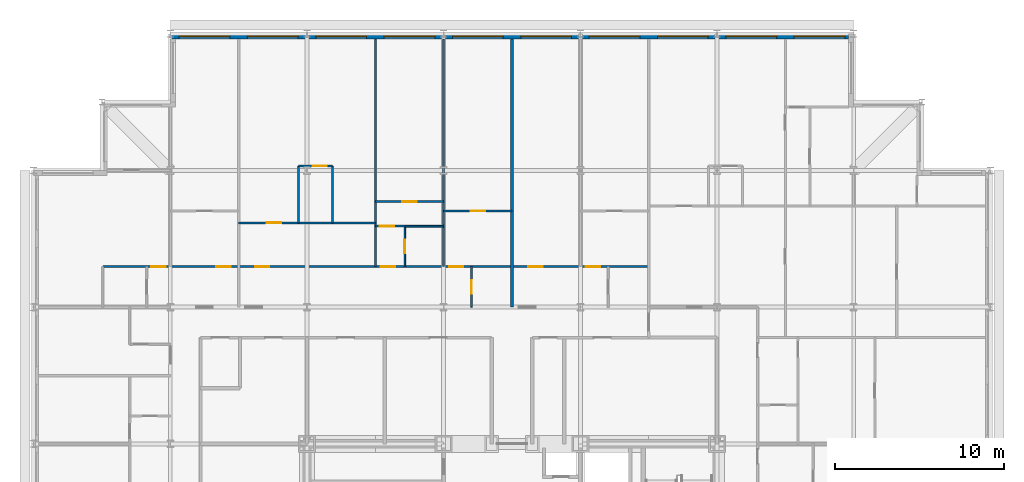
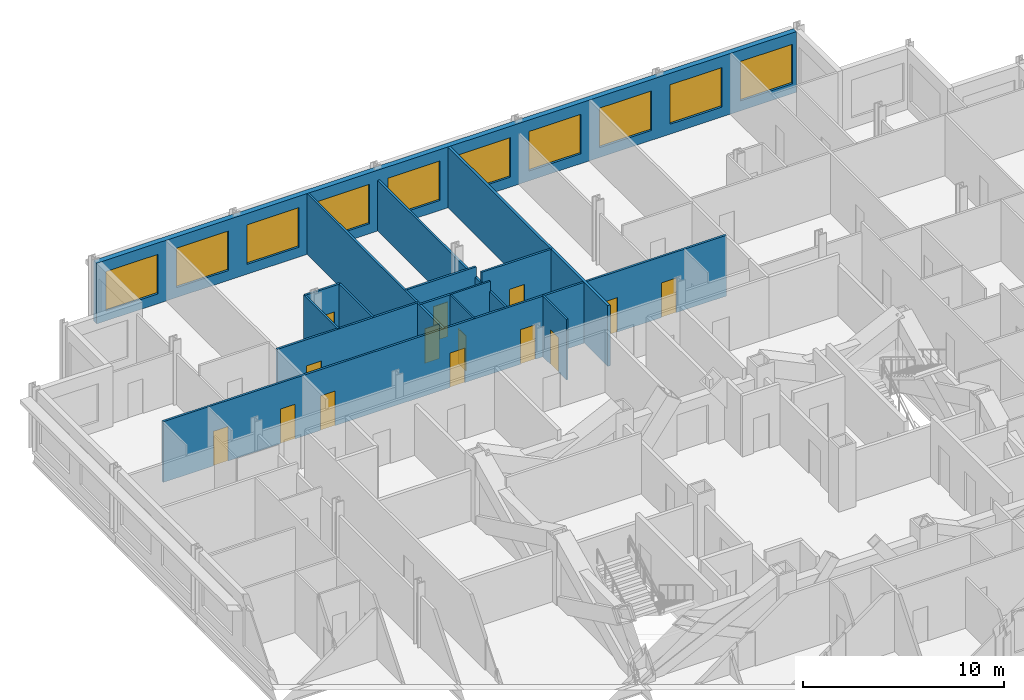
# One storey, part 13 of 16: 15 walls, 14 doors, 10 windows, 24 openings.
"""IFC4 building model written with IfcOpenShell, lengths in metres."""

from ifc_helpers import new_model, si_unit, direction, frame, frame_2d, origin, place, context, subcontext, project, spatial, rectangle, extrude, material, layer, layer_set, type_object, element, fill, save


model = new_model("IFC4")

# Units and contexts
model_context = context("Model", 3, precision=1e-05, world=origin(), true_north=direction((0.0, 1.0)))
body_context = subcontext(model_context, "Body", "Model", "MODEL_VIEW")
ifc_project = project(units=[si_unit("LENGTHUNIT", "METRE"), si_unit("AREAUNIT", "SQUARE_METRE"), si_unit("VOLUMEUNIT", "CUBIC_METRE"), si_unit("PLANEANGLEUNIT", "RADIAN"), si_unit("MASSUNIT", "GRAM", prefix="KILO")], contexts=[model_context])

# Site, building, storey
site_placement = place(None, origin())
site = spatial("IfcSite", under=ifc_project, at=site_placement, CompositionType="ELEMENT")
building_placement = place(site_placement, origin())
building = spatial("IfcBuilding", under=site, at=building_placement, Name="Kopane Lantern Tower", CompositionType="ELEMENT")
storey_placement = place(building_placement, frame((0.0, 0.0, 258.0)))
storey = spatial("IfcBuildingStorey", under=building, at=storey_placement, Name="L66", CompositionType="ELEMENT", Elevation=258.0)

# Walls
ifc_material_1 = material(Name="Gypsum board on steel studs", Category="steel")
ifc_layer_1 = layer(ifc_material_1, 0.1201171875)
ifc_layer_set_1 = layer_set([ifc_layer_1], Name="APARTMENT INTERNAL WALL 120")
wall_type_1 = type_object("IfcWallType", Name="APARTMENT INTERNAL WALL 120", PredefinedType="PARTITIONING", material=ifc_layer_set_1)
wall_1_placement = place(storey_placement, frame((20.25, 51.0, 0.0), z_axis=(0.0, 0.0, 1.0), x_axis=(0.0, 1.0, 0.0)))
element("IfcWall", 1, at=wall_1_placement, inside=storey, type_object=wall_type_1, Name="Apartment Internal Wall 120 L66", PredefinedType="PARTITIONING", context=body_context, shape_type="SweptSolid", body=[
    extrude(rectangle(XDim=13.5, YDim=0.1201171875, at=frame_2d((6.75, 0.0))), origin(), (0.0, 0.0, 1.0), 3.68994140625),
])
wall_2_placement = place(storey_placement, frame((24.300048828125, 51.0, 0.0), z_axis=(0.0, 0.0, 1.0), x_axis=(0.0, 1.0, 0.0)))
element("IfcWall", 2, at=wall_2_placement, inside=storey, type_object=wall_type_1, Name="Apartment Internal Wall 120 L66", PredefinedType="PARTITIONING", context=body_context, shape_type="SweptSolid", body=[
    extrude(rectangle(XDim=13.5, YDim=0.1201171875, at=frame_2d((6.75, 0.0))), origin(), (0.0, 0.0, 1.0), 3.077880859375),
])

# Wall, openings, doors
wall_3_placement = place(storey_placement, frame((4.10009765625, 51.0, 0.0), z_axis=(0.0, 0.0, 1.0), x_axis=(1.0, 0.0, 0.0)))
wall_3 = element("IfcWall", 3, at=wall_3_placement, inside=storey, type_object=wall_type_1, Name="Apartment Internal Wall 120 L66", PredefinedType="PARTITIONING", context=body_context, shape_type="SweptSolid", body=[
    extrude(rectangle(XDim=32.349853515625, YDim=0.1201171875, at=frame_2d((16.1748046875, 0.0))), origin(), (0.0, 0.0, 1.0), 3.68994140625),
])
opening_1_placement = place(wall_3_placement, frame((9.02490234375, 0.0, 0.0)))
opening_1 = element("IfcOpeningElement", 4, at=opening_1_placement, cuts=wall_3, Name="Opening L66-023", PredefinedType="OPENING", context=body_context, shape_type="SweptSolid", body=[
    extrude(rectangle(XDim=0.85009765625, YDim=2.10009765625, at=frame_2d((0.425048828125, 1.050048828125))), frame((0.0, 0.070068359375, 0.0), z_axis=(0.0, -1.0, 0.0), x_axis=(1.0, 0.0, 0.0)), (0.0, 0.0, 1.0), 0.14013671875),
])
opening_2_placement = place(wall_3_placement, frame((16.47509765625, 0.0, 0.0)))
opening_2 = element("IfcOpeningElement", 5, at=opening_2_placement, cuts=wall_3, Name="Opening L66-025", PredefinedType="OPENING", context=body_context, shape_type="SweptSolid", body=[
    extrude(rectangle(XDim=0.85009765625, YDim=2.10009765625, at=frame_2d((0.425048828125, 1.050048828125))), frame((0.0, 0.070068359375, 0.0), z_axis=(0.0, -1.0, 0.0), x_axis=(1.0, 0.0, 0.0)), (0.0, 0.0, 1.0), 0.14013671875),
])
opening_3_placement = place(wall_3_placement, frame((20.52490234375, 0.0, 0.0)))
opening_3 = element("IfcOpeningElement", 6, at=opening_3_placement, cuts=wall_3, Name="Opening L66-026", PredefinedType="OPENING", context=body_context, shape_type="SweptSolid", body=[
    extrude(rectangle(XDim=0.85009765625, YDim=2.10009765625, at=frame_2d((0.425048828125, 1.050048828125))), frame((0.0, 0.070068359375, 0.0), z_axis=(0.0, -1.0, 0.0), x_axis=(1.0, 0.0, 0.0)), (0.0, 0.0, 1.0), 0.14013671875),
])
opening_4_placement = place(wall_3_placement, frame((25.22509765625, 0.0, 0.0)))
opening_4 = element("IfcOpeningElement", 7, at=opening_4_placement, cuts=wall_3, Name="Opening L66-029", PredefinedType="OPENING", context=body_context, shape_type="SweptSolid", body=[
    extrude(rectangle(XDim=0.85009765625, YDim=2.10009765625, at=frame_2d((0.425048828125, 1.050048828125))), frame((0.0, 0.070068359375, 0.0), z_axis=(0.0, -1.0, 0.0), x_axis=(1.0, 0.0, 0.0)), (0.0, 0.0, 1.0), 0.14013671875),
])
opening_5_placement = place(wall_3_placement, frame((28.625, 0.0, 0.0)))
opening_5 = element("IfcOpeningElement", 8, at=opening_5_placement, cuts=wall_3, Name="Opening L66-030", PredefinedType="OPENING", context=body_context, shape_type="SweptSolid", body=[
    extrude(rectangle(XDim=0.85009765625, YDim=2.10009765625, at=frame_2d((0.425048828125, 1.050048828125))), frame((0.0, 0.070068359375, 0.0), z_axis=(0.0, -1.0, 0.0), x_axis=(1.0, 0.0, 0.0)), (0.0, 0.0, 1.0), 0.14013671875),
])
opening_6_placement = place(wall_3_placement, frame((6.72509765625, 0.0, 0.0)))
opening_6 = element("IfcOpeningElement", 9, at=opening_6_placement, cuts=wall_3, Name="Opening L66-044", PredefinedType="OPENING", context=body_context, shape_type="SweptSolid", body=[
    extrude(rectangle(XDim=0.85009765625, YDim=2.10009765625, at=frame_2d((0.425048828125, 1.050048828125))), frame((0.0, 0.070068359375, 0.0), z_axis=(0.0, -1.0, 0.0), x_axis=(1.0, 0.0, 0.0)), (0.0, 0.0, 1.0), 0.14013671875),
])
opening_7_placement = place(wall_3_placement, frame((2.875, 0.0, 0.0)))
opening_7 = element("IfcOpeningElement", 10, at=opening_7_placement, cuts=wall_3, Name="Opening L66-046", PredefinedType="OPENING", context=body_context, shape_type="SweptSolid", body=[
    extrude(rectangle(XDim=0.85009765625, YDim=2.10009765625, at=frame_2d((0.425048828125, 1.050048828125))), frame((0.0, 0.070068359375, 0.0), z_axis=(0.0, -1.0, 0.0), x_axis=(1.0, 0.0, 0.0)), (0.0, 0.0, 1.0), 0.14013671875),
])
ifc_material_2 = material(Name="Timber door set", Category="wood")
door_type_1 = type_object("IfcDoorType", Name="DOOR D4 850x2100", OperationType="SINGLE_SWING_LEFT", PredefinedType="DOOR", material=ifc_material_2)
door_1_placement = place(opening_1_placement, origin())
door_1 = element("IfcDoor", 11, at=door_1_placement, inside=storey, type_object=door_type_1, Name="Door L66-023", OperationType="SINGLE_SWING_LEFT", OverallHeight=2.10009765625, OverallWidth=0.85009765625, PredefinedType="DOOR", context=body_context, shape_type="SweptSolid", body=[
    extrude(rectangle(XDim=0.85009765625, YDim=2.10009765625, at=frame_2d((0.425048828125, 1.050048828125))), frame((0.0, 0.02490234375, 0.0), z_axis=(0.0, -1.0, 0.0), x_axis=(1.0, 0.0, 0.0)), (0.0, 0.0, 1.0), 0.050048828125),
])
fill(opening_1, door_1)
door_2_placement = place(opening_2_placement, origin())
door_2 = element("IfcDoor", 12, at=door_2_placement, inside=storey, type_object=door_type_1, Name="Door L66-025", OperationType="SINGLE_SWING_LEFT", OverallHeight=2.10009765625, OverallWidth=0.85009765625, PredefinedType="DOOR", context=body_context, shape_type="SweptSolid", body=[
    extrude(rectangle(XDim=0.85009765625, YDim=2.10009765625, at=frame_2d((0.425048828125, 1.050048828125))), frame((0.0, 0.02490234375, 0.0), z_axis=(0.0, -1.0, 0.0), x_axis=(1.0, 0.0, 0.0)), (0.0, 0.0, 1.0), 0.050048828125),
])
fill(opening_2, door_2)
door_3_placement = place(opening_3_placement, origin())
door_3 = element("IfcDoor", 13, at=door_3_placement, inside=storey, type_object=door_type_1, Name="Door L66-026", OperationType="SINGLE_SWING_LEFT", OverallHeight=2.10009765625, OverallWidth=0.85009765625, PredefinedType="DOOR", context=body_context, shape_type="SweptSolid", body=[
    extrude(rectangle(XDim=0.85009765625, YDim=2.10009765625, at=frame_2d((0.425048828125, 1.050048828125))), frame((0.0, 0.02490234375, 0.0), z_axis=(0.0, -1.0, 0.0), x_axis=(1.0, 0.0, 0.0)), (0.0, 0.0, 1.0), 0.050048828125),
])
fill(opening_3, door_3)
door_4_placement = place(opening_4_placement, origin())
door_4 = element("IfcDoor", 14, at=door_4_placement, inside=storey, type_object=door_type_1, Name="Door L66-029", OperationType="SINGLE_SWING_RIGHT", OverallHeight=2.10009765625, OverallWidth=0.85009765625, PredefinedType="DOOR", context=body_context, shape_type="SweptSolid", body=[
    extrude(rectangle(XDim=0.85009765625, YDim=2.10009765625, at=frame_2d((0.425048828125, 1.050048828125))), frame((0.0, 0.02490234375, 0.0), z_axis=(0.0, -1.0, 0.0), x_axis=(1.0, 0.0, 0.0)), (0.0, 0.0, 1.0), 0.050048828125),
])
fill(opening_4, door_4)
door_5_placement = place(opening_5_placement, origin())
door_5 = element("IfcDoor", 15, at=door_5_placement, inside=storey, type_object=door_type_1, Name="Door L66-030", OperationType="SINGLE_SWING_LEFT", OverallHeight=2.10009765625, OverallWidth=0.85009765625, PredefinedType="DOOR", context=body_context, shape_type="SweptSolid", body=[
    extrude(rectangle(XDim=0.85009765625, YDim=2.10009765625, at=frame_2d((0.425048828125, 1.050048828125))), frame((0.0, 0.02490234375, 0.0), z_axis=(0.0, -1.0, 0.0), x_axis=(1.0, 0.0, 0.0)), (0.0, 0.0, 1.0), 0.050048828125),
])
fill(opening_5, door_5)
door_6_placement = place(opening_6_placement, origin())
door_6 = element("IfcDoor", 16, at=door_6_placement, inside=storey, type_object=door_type_1, Name="Door L66-044", OperationType="SINGLE_SWING_LEFT", OverallHeight=2.10009765625, OverallWidth=0.85009765625, PredefinedType="DOOR", context=body_context, shape_type="SweptSolid", body=[
    extrude(rectangle(XDim=0.85009765625, YDim=2.10009765625, at=frame_2d((0.425048828125, 1.050048828125))), frame((0.0, 0.02490234375, 0.0), z_axis=(0.0, -1.0, 0.0), x_axis=(1.0, 0.0, 0.0)), (0.0, 0.0, 1.0), 0.050048828125),
])
fill(opening_6, door_6)
door_7_placement = place(opening_7_placement, origin())
door_7 = element("IfcDoor", 17, at=door_7_placement, inside=storey, type_object=door_type_1, Name="Door L66-046", OperationType="SINGLE_SWING_RIGHT", OverallHeight=2.10009765625, OverallWidth=0.85009765625, PredefinedType="DOOR", context=body_context, shape_type="SweptSolid", body=[
    extrude(rectangle(XDim=0.85009765625, YDim=2.10009765625, at=frame_2d((0.425048828125, 1.050048828125))), frame((0.0, 0.02490234375, 0.0), z_axis=(0.0, -1.0, 0.0), x_axis=(1.0, 0.0, 0.0)), (0.0, 0.0, 1.0), 0.050048828125),
])
fill(opening_7, door_7)

# Wall, opening, door
wall_4_placement = place(storey_placement, frame((20.25, 53.39990234375, 0.0), z_axis=(0.0, 0.0, 1.0), x_axis=(1.0, 0.0, 0.0)))
wall_4 = element("IfcWall", 18, at=wall_4_placement, inside=storey, type_object=wall_type_1, Name="Apartment Internal Wall 120 L66", PredefinedType="PARTITIONING", context=body_context, shape_type="SweptSolid", body=[
    extrude(rectangle(XDim=1.760009765625, YDim=0.1201171875, at=frame_2d((0.8798828125, 0.0))), origin(), (0.0, 0.0, 1.0), 3.68994140625),
])
opening_8_placement = place(wall_4_placement, frame((0.27490234375, 0.0, 0.0)))
opening_8 = element("IfcOpeningElement", 19, at=opening_8_placement, cuts=wall_4, Name="Opening L66-065", PredefinedType="OPENING", context=body_context, shape_type="SweptSolid", body=[
    extrude(rectangle(XDim=0.85009765625, YDim=2.10009765625, at=frame_2d((0.425048828125, 1.050048828125))), frame((0.0, 0.070068359375, 0.0), z_axis=(0.0, -1.0, 0.0), x_axis=(1.0, 0.0, 0.0)), (0.0, 0.0, 1.0), 0.14013671875),
])
door_8_placement = place(opening_8_placement, origin())
door_8 = element("IfcDoor", 20, at=door_8_placement, inside=storey, type_object=door_type_1, Name="Door L66-065", OperationType="SINGLE_SWING_LEFT", OverallHeight=2.10009765625, OverallWidth=0.85009765625, PredefinedType="DOOR", context=body_context, shape_type="SweptSolid", body=[
    extrude(rectangle(XDim=0.85009765625, YDim=2.10009765625, at=frame_2d((0.425048828125, 1.050048828125))), frame((0.0, 0.02490234375, 0.0), z_axis=(0.0, -1.0, 0.0), x_axis=(1.0, 0.0, 0.0)), (0.0, 0.0, 1.0), 0.050048828125),
])
fill(opening_8, door_8)

wall_5_placement = place(storey_placement, frame((12.14990234375, 53.60009765625, 0.0), z_axis=(0.0, 0.0, 1.0), x_axis=(1.0, 0.0, 0.0)))
wall_5 = element("IfcWall", 21, at=wall_5_placement, inside=storey, type_object=wall_type_1, Name="Apartment Internal Wall 120 L66", PredefinedType="PARTITIONING", context=body_context, shape_type="SweptSolid", body=[
    extrude(rectangle(XDim=8.10009765625, YDim=0.1201171875, at=frame_2d((4.050048828125, 0.0))), origin(), (0.0, 0.0, 1.0), 3.68994140625),
])
opening_9_placement = place(wall_5_placement, frame((1.675048828125, 0.0, 0.0)))
opening_9 = element("IfcOpeningElement", 22, at=opening_9_placement, cuts=wall_5, Name="Opening L66-071", PredefinedType="OPENING", context=body_context, shape_type="SweptSolid", body=[
    extrude(rectangle(XDim=0.85009765625, YDim=2.10009765625, at=frame_2d((0.425048828125, 1.050048828125))), frame((0.0, 0.070068359375, 0.0), z_axis=(0.0, -1.0, 0.0), x_axis=(1.0, 0.0, 0.0)), (0.0, 0.0, 1.0), 0.14013671875),
])
door_9_placement = place(opening_9_placement, origin())
door_9 = element("IfcDoor", 23, at=door_9_placement, inside=storey, type_object=door_type_1, Name="Door L66-071", OperationType="SINGLE_SWING_RIGHT", OverallHeight=2.10009765625, OverallWidth=0.85009765625, PredefinedType="DOOR", context=body_context, shape_type="SweptSolid", body=[
    extrude(rectangle(XDim=0.85009765625, YDim=2.10009765625, at=frame_2d((0.425048828125, 1.050048828125))), frame((0.0, 0.02490234375, 0.0), z_axis=(0.0, -1.0, 0.0), x_axis=(1.0, 0.0, 0.0)), (0.0, 0.0, 1.0), 0.050048828125),
])
fill(opening_9, door_9)

wall_6_placement = place(storey_placement, frame((20.25, 54.85009765625, 0.0), z_axis=(0.0, 0.0, 1.0), x_axis=(1.0, 0.0, 0.0)))
wall_6 = element("IfcWall", 24, at=wall_6_placement, inside=storey, type_object=wall_type_1, Name="Apartment Internal Wall 120 L66", PredefinedType="PARTITIONING", context=body_context, shape_type="SweptSolid", body=[
    extrude(rectangle(XDim=4.050048828125, YDim=0.1201171875, at=frame_2d((2.02490234375, 0.0))), origin(), (0.0, 0.0, 1.0), 3.68994140625),
])
opening_10_placement = place(wall_6_placement, frame((1.60009765625, 0.0, 0.0)))
opening_10 = element("IfcOpeningElement", 25, at=opening_10_placement, cuts=wall_6, Name="Opening L66-072", PredefinedType="OPENING", context=body_context, shape_type="SweptSolid", body=[
    extrude(rectangle(XDim=0.85009765625, YDim=2.10009765625, at=frame_2d((0.425048828125, 1.050048828125))), frame((0.0, 0.070068359375, 0.0), z_axis=(0.0, -1.0, 0.0), x_axis=(1.0, 0.0, 0.0)), (0.0, 0.0, 1.0), 0.14013671875),
])
door_10_placement = place(opening_10_placement, origin())
door_10 = element("IfcDoor", 26, at=door_10_placement, inside=storey, type_object=door_type_1, Name="Door L66-072", OperationType="SINGLE_SWING_RIGHT", OverallHeight=2.10009765625, OverallWidth=0.85009765625, PredefinedType="DOOR", context=body_context, shape_type="SweptSolid", body=[
    extrude(rectangle(XDim=0.85009765625, YDim=2.10009765625, at=frame_2d((0.425048828125, 1.050048828125))), frame((0.0, 0.02490234375, 0.0), z_axis=(0.0, -1.0, 0.0), x_axis=(1.0, 0.0, 0.0)), (0.0, 0.0, 1.0), 0.050048828125),
])
fill(opening_10, door_10)

wall_7_placement = place(storey_placement, frame((24.300048828125, 54.300048828125, 0.0), z_axis=(0.0, 0.0, 1.0), x_axis=(1.0, 0.0, 0.0)))
wall_7 = element("IfcWall", 27, at=wall_7_placement, inside=storey, type_object=wall_type_1, Name="Apartment Internal Wall 120 L66", PredefinedType="PARTITIONING", context=body_context, shape_type="SweptSolid", body=[
    extrude(rectangle(XDim=4.050048828125, YDim=0.1201171875, at=frame_2d((2.02490234375, 0.0))), origin(), (0.0, 0.0, 1.0), 3.68994140625),
])
opening_11_placement = place(wall_7_placement, frame((1.60009765625, 0.0, 0.0)))
opening_11 = element("IfcOpeningElement", 28, at=opening_11_placement, cuts=wall_7, Name="Opening L66-073", PredefinedType="OPENING", context=body_context, shape_type="SweptSolid", body=[
    extrude(rectangle(XDim=0.85009765625, YDim=2.10009765625, at=frame_2d((0.425048828125, 1.050048828125))), frame((0.0, 0.070068359375, 0.0), z_axis=(0.0, -1.0, 0.0), x_axis=(1.0, 0.0, 0.0)), (0.0, 0.0, 1.0), 0.14013671875),
])
door_11_placement = place(opening_11_placement, origin())
door_11 = element("IfcDoor", 29, at=door_11_placement, inside=storey, type_object=door_type_1, Name="Door L66-073", OperationType="SINGLE_SWING_RIGHT", OverallHeight=2.10009765625, OverallWidth=0.85009765625, PredefinedType="DOOR", context=body_context, shape_type="SweptSolid", body=[
    extrude(rectangle(XDim=0.85009765625, YDim=2.10009765625, at=frame_2d((0.425048828125, 1.050048828125))), frame((0.0, 0.02490234375, 0.0), z_axis=(0.0, -1.0, 0.0), x_axis=(1.0, 0.0, 0.0)), (0.0, 0.0, 1.0), 0.050048828125),
])
fill(opening_11, door_11)

# Walls
for number, where, z_axis, x_axis, name in (
    (30, (15.697021484375, 53.60009765625, 0.0), (0.0, 0.0, 1.0), (0.0, 1.0, 0.0), "Apartment Internal Wall 120 L66"),
    (31, (17.702880859375, 53.60009765625, 0.0), (0.0, 0.0, 1.0), (0.0, 1.0, 0.0), "Apartment Internal Wall 120 L66"),
):
    element("IfcWall", number, at=place(storey_placement, frame(where, z_axis=z_axis, x_axis=x_axis)), inside=storey, type_object=wall_type_1, Name=name, PredefinedType="PARTITIONING", context=body_context, shape_type="SweptSolid", body=[
        extrude(rectangle(XDim=3.36279296875, YDim=0.1201171875, at=frame_2d((1.681396484375, 0.0))), origin(), (0.0, 0.0, 1.0), 3.68994140625),
    ])

# Wall, opening, door
wall_8_placement = place(storey_placement, frame((15.697021484375, 56.962890625, 0.0), z_axis=(0.0, 0.0, 1.0), x_axis=(1.0, 0.0, 0.0)))
wall_8 = element("IfcWall", 32, at=wall_8_placement, inside=storey, type_object=wall_type_1, Name="Apartment Internal Wall 120 L66", PredefinedType="PARTITIONING", context=body_context, shape_type="SweptSolid", body=[
    extrude(rectangle(XDim=2.005859375, YDim=0.1201171875, at=frame_2d((1.0029296875, 0.0))), origin(), (0.0, 0.0, 1.0), 3.68994140625),
])
opening_12_placement = place(wall_8_placement, frame((0.8310546875, 0.0, 0.0)))
opening_12 = element("IfcOpeningElement", 33, at=opening_12_placement, cuts=wall_8, Name="Opening L66-084", PredefinedType="OPENING", context=body_context, shape_type="SweptSolid", body=[
    extrude(rectangle(XDim=0.85009765625, YDim=2.10009765625, at=frame_2d((0.425048828125, 1.050048828125))), frame((0.0, 0.070068359375, 0.0), z_axis=(0.0, -1.0, 0.0), x_axis=(1.0, 0.0, 0.0)), (0.0, 0.0, 1.0), 0.14013671875),
])
door_12_placement = place(opening_12_placement, origin())
door_12 = element("IfcDoor", 34, at=door_12_placement, inside=storey, type_object=door_type_1, Name="Door L66-084", OperationType="SINGLE_SWING_LEFT", OverallHeight=2.10009765625, OverallWidth=0.85009765625, PredefinedType="DOOR", context=body_context, shape_type="SweptSolid", body=[
    extrude(rectangle(XDim=0.85009765625, YDim=2.10009765625, at=frame_2d((0.425048828125, 1.050048828125))), frame((0.0, 0.02490234375, 0.0), z_axis=(0.0, -1.0, 0.0), x_axis=(1.0, 0.0, 0.0)), (0.0, 0.0, 1.0), 0.050048828125),
])
fill(opening_12, door_12)

ifc_material_3 = material(Name="Moisture-resistant board on steel studs", Category="steel")
ifc_layer_2 = layer(ifc_material_3, 0.10009765625)
ifc_layer_set_2 = layer_set([ifc_layer_2], Name="BATHROOM WALL 100")
wall_type_2 = type_object("IfcWallType", Name="BATHROOM WALL 100", PredefinedType="PARTITIONING", material=ifc_layer_set_2)
wall_9_placement = place(storey_placement, frame((25.949951171875, 48.60009765625, 0.0), z_axis=(0.0, 0.0, 1.0), x_axis=(0.0, 1.0, 0.0)))
wall_9 = element("IfcWall", 35, at=wall_9_placement, inside=storey, type_object=wall_type_2, Name="Bathroom Wall 100 L66", PredefinedType="PARTITIONING", context=body_context, shape_type="SweptSolid", body=[
    extrude(rectangle(XDim=2.39990234375, YDim=0.10009765625, at=frame_2d((1.199951171875, 0.0))), origin(), (0.0, 0.0, 1.0), 3.68994140625),
])
opening_13_placement = place(wall_9_placement, frame((0.800048828125, 0.0, 0.0)))
opening_13 = element("IfcOpeningElement", 36, at=opening_13_placement, cuts=wall_9, Name="Opening L66-021", PredefinedType="OPENING", context=body_context, shape_type="SweptSolid", body=[
    extrude(rectangle(XDim=0.800048828125, YDim=2.10009765625, at=frame_2d((0.39990234375, 1.050048828125))), frame((0.0, 0.06005859375, 0.0), z_axis=(0.0, -1.0, 0.0), x_axis=(1.0, 0.0, 0.0)), (0.0, 0.0, 1.0), 0.1201171875),
])
ifc_material_4 = material(Name="Timber door set", Category="wood")
door_type_2 = type_object("IfcDoorType", Name="DOOR D2 800x2100", OperationType="SINGLE_SWING_LEFT", PredefinedType="DOOR", material=ifc_material_4)
door_13_placement = place(opening_13_placement, origin())
door_13 = element("IfcDoor", 37, at=door_13_placement, inside=storey, type_object=door_type_2, Name="Door L66-021", OperationType="SINGLE_SWING_RIGHT", OverallHeight=2.10009765625, OverallWidth=0.800048828125, PredefinedType="DOOR", context=body_context, shape_type="SweptSolid", body=[
    extrude(rectangle(XDim=0.800048828125, YDim=2.10009765625, at=frame_2d((0.39990234375, 1.050048828125))), frame((0.0, 0.02490234375, 0.0), z_axis=(0.0, -1.0, 0.0), x_axis=(1.0, 0.0, 0.0)), (0.0, 0.0, 1.0), 0.050048828125),
])
fill(opening_13, door_13)

wall_10_placement = place(storey_placement, frame((22.0, 51.0, 0.0), z_axis=(0.0, 0.0, 1.0), x_axis=(0.0, 1.0, 0.0)))
wall_10 = element("IfcWall", 38, at=wall_10_placement, inside=storey, type_object=wall_type_2, Name="Bathroom Wall 100 L66", PredefinedType="PARTITIONING", context=body_context, shape_type="SweptSolid", body=[
    extrude(rectangle(XDim=2.39990234375, YDim=0.10009765625, at=frame_2d((1.199951171875, 0.0))), origin(), (0.0, 0.0, 1.0), 3.68994140625),
])
opening_14_placement = place(wall_10_placement, frame((0.800048828125, 0.0, 0.0)))
opening_14 = element("IfcOpeningElement", 39, at=opening_14_placement, cuts=wall_10, Name="Opening L66-024", PredefinedType="OPENING", context=body_context, shape_type="SweptSolid", body=[
    extrude(rectangle(XDim=0.800048828125, YDim=2.10009765625, at=frame_2d((0.39990234375, 1.050048828125))), frame((0.0, 0.06005859375, 0.0), z_axis=(0.0, -1.0, 0.0), x_axis=(1.0, 0.0, 0.0)), (0.0, 0.0, 1.0), 0.1201171875),
])
door_14_placement = place(opening_14_placement, origin())
door_14 = element("IfcDoor", 40, at=door_14_placement, inside=storey, type_object=door_type_2, Name="Door L66-024", OperationType="SINGLE_SWING_RIGHT", OverallHeight=2.10009765625, OverallWidth=0.800048828125, PredefinedType="DOOR", context=body_context, shape_type="SweptSolid", body=[
    extrude(rectangle(XDim=0.800048828125, YDim=2.10009765625, at=frame_2d((0.39990234375, 1.050048828125))), frame((0.0, 0.02490234375, 0.0), z_axis=(0.0, -1.0, 0.0), x_axis=(1.0, 0.0, 0.0)), (0.0, 0.0, 1.0), 0.050048828125),
])
fill(opening_14, door_14)

# Walls
wall_11_placement = place(storey_placement, frame((22.0, 53.39990234375, 0.0), z_axis=(0.0, 0.0, 1.0), x_axis=(1.0, 0.0, 0.0)))
element("IfcWall", 41, at=wall_11_placement, inside=storey, type_object=wall_type_2, Name="Bathroom Wall 100 L66", PredefinedType="PARTITIONING", context=body_context, shape_type="SweptSolid", body=[
    extrude(rectangle(XDim=2.300048828125, YDim=0.10009765625, at=frame_2d((1.14990234375, 0.0))), origin(), (0.0, 0.0, 1.0), 3.68994140625),
])
ifc_material_5 = material(Name="Gypsum board on steel studs", Category="steel")
ifc_layer_3 = layer(ifc_material_5, 0.14990234375)
ifc_layer_set_3 = layer_set([ifc_layer_3], Name="DEMISING WALL 150 EI 60")
wall_type_3 = type_object("IfcWallType", Name="DEMISING WALL 150 EI 60", PredefinedType="PARTITIONING", material=ifc_layer_set_3)
wall_12_placement = place(storey_placement, frame((28.35009765625, 48.60009765625, 0.0), z_axis=(0.0, 0.0, 1.0), x_axis=(0.0, 1.0, 0.0)))
element("IfcWall", 42, at=wall_12_placement, inside=storey, type_object=wall_type_3, Name="Demising Wall 150 Ei 60 L66", PredefinedType="PARTITIONING", context=body_context, shape_type="SweptSolid", body=[
    extrude(rectangle(XDim=15.89990234375, YDim=0.14990234375, at=frame_2d((7.949951171875, 0.0))), origin(), (0.0, 0.0, 1.0), 3.68994140625),
])

# Wall, openings, windows
ifc_material_6 = material(Name="Terracotta rainscreen on light steel framing", Category="masonry")
ifc_layer_4 = layer(ifc_material_6, 0.300048828125)
ifc_layer_set_4 = layer_set([ifc_layer_4], Name="EXTERNAL WALL EW1 300 TERRACOTTA")
wall_type_4 = type_object("IfcWallType", Name="EXTERNAL WALL EW1 300 TERRACOTTA", PredefinedType="SOLIDWALL", material=ifc_layer_set_4)
wall_13_placement = place(storey_placement, frame((48.300048828125, 64.64990234375, 0.0), z_axis=(0.0, 0.0, 1.0), x_axis=(-1.0, 0.0, 0.0)))
wall_13 = element("IfcWall", 43, at=wall_13_placement, inside=storey, type_object=wall_type_4, Name="External wall N L66", PredefinedType="SOLIDWALL", context=body_context, shape_type="SweptSolid", body=[
    extrude(rectangle(XDim=40.199951171875, YDim=0.300048828125, at=frame_2d((20.10009765625, 0.0))), origin(), (0.0, 0.0, 1.0), 3.68994140625),
])
opening_15_placement = place(wall_13_placement, frame((0.22509765625, 0.0, 0.60009765625)))
opening_15 = element("IfcOpeningElement", 44, at=opening_15_placement, cuts=wall_13, Name="Opening WR300240", PredefinedType="OPENING", context=body_context, shape_type="SweptSolid", body=[
    extrude(rectangle(XDim=3.0, YDim=2.39990234375, at=frame_2d((1.5, 1.199951171875))), frame((0.0, 0.159912109375, 0.0), z_axis=(0.0, -1.0, 0.0), x_axis=(1.0, 0.0, 0.0)), (0.0, 0.0, 1.0), 0.320068359375),
])
opening_16_placement = place(wall_13_placement, frame((4.27490234375, 0.0, 0.60009765625)))
opening_16 = element("IfcOpeningElement", 45, at=opening_16_placement, cuts=wall_13, Name="Opening WR300240", PredefinedType="OPENING", context=body_context, shape_type="SweptSolid", body=[
    extrude(rectangle(XDim=3.0, YDim=2.39990234375, at=frame_2d((1.5, 1.199951171875))), frame((0.0, 0.159912109375, 0.0), z_axis=(0.0, -1.0, 0.0), x_axis=(1.0, 0.0, 0.0)), (0.0, 0.0, 1.0), 0.320068359375),
])
opening_17_placement = place(wall_13_placement, frame((8.324951171875, 0.0, 0.60009765625)))
opening_17 = element("IfcOpeningElement", 46, at=opening_17_placement, cuts=wall_13, Name="Opening WR300240", PredefinedType="OPENING", context=body_context, shape_type="SweptSolid", body=[
    extrude(rectangle(XDim=3.0, YDim=2.39990234375, at=frame_2d((1.5, 1.199951171875))), frame((0.0, 0.159912109375, 0.0), z_axis=(0.0, -1.0, 0.0), x_axis=(1.0, 0.0, 0.0)), (0.0, 0.0, 1.0), 0.320068359375),
])
opening_18_placement = place(wall_13_placement, frame((12.375, 0.0, 0.60009765625)))
opening_18 = element("IfcOpeningElement", 47, at=opening_18_placement, cuts=wall_13, Name="Opening WR300240", PredefinedType="OPENING", context=body_context, shape_type="SweptSolid", body=[
    extrude(rectangle(XDim=3.0, YDim=2.39990234375, at=frame_2d((1.5, 1.199951171875))), frame((0.0, 0.159912109375, 0.0), z_axis=(0.0, -1.0, 0.0), x_axis=(1.0, 0.0, 0.0)), (0.0, 0.0, 1.0), 0.320068359375),
])
opening_19_placement = place(wall_13_placement, frame((16.425048828125, 0.0, 0.60009765625)))
opening_19 = element("IfcOpeningElement", 48, at=opening_19_placement, cuts=wall_13, Name="Opening WR300240", PredefinedType="OPENING", context=body_context, shape_type="SweptSolid", body=[
    extrude(rectangle(XDim=3.0, YDim=2.39990234375, at=frame_2d((1.5, 1.199951171875))), frame((0.0, 0.159912109375, 0.0), z_axis=(0.0, -1.0, 0.0), x_axis=(1.0, 0.0, 0.0)), (0.0, 0.0, 1.0), 0.320068359375),
])
opening_20_placement = place(wall_13_placement, frame((20.47509765625, 0.0, 0.60009765625)))
opening_20 = element("IfcOpeningElement", 49, at=opening_20_placement, cuts=wall_13, Name="Opening WR300240", PredefinedType="OPENING", context=body_context, shape_type="SweptSolid", body=[
    extrude(rectangle(XDim=3.0, YDim=2.39990234375, at=frame_2d((1.5, 1.199951171875))), frame((0.0, 0.159912109375, 0.0), z_axis=(0.0, -1.0, 0.0), x_axis=(1.0, 0.0, 0.0)), (0.0, 0.0, 1.0), 0.320068359375),
])
opening_21_placement = place(wall_13_placement, frame((24.52490234375, 0.0, 0.60009765625)))
opening_21 = element("IfcOpeningElement", 50, at=opening_21_placement, cuts=wall_13, Name="Opening WR300240", PredefinedType="OPENING", context=body_context, shape_type="SweptSolid", body=[
    extrude(rectangle(XDim=3.0, YDim=2.39990234375, at=frame_2d((1.5, 1.199951171875))), frame((0.0, 0.159912109375, 0.0), z_axis=(0.0, -1.0, 0.0), x_axis=(1.0, 0.0, 0.0)), (0.0, 0.0, 1.0), 0.320068359375),
])
opening_22_placement = place(wall_13_placement, frame((28.574951171875, 0.0, 0.60009765625)))
opening_22 = element("IfcOpeningElement", 51, at=opening_22_placement, cuts=wall_13, Name="Opening WR300240", PredefinedType="OPENING", context=body_context, shape_type="SweptSolid", body=[
    extrude(rectangle(XDim=3.0, YDim=2.39990234375, at=frame_2d((1.5, 1.199951171875))), frame((0.0, 0.159912109375, 0.0), z_axis=(0.0, -1.0, 0.0), x_axis=(1.0, 0.0, 0.0)), (0.0, 0.0, 1.0), 0.320068359375),
])
opening_23_placement = place(wall_13_placement, frame((32.625, 0.0, 0.60009765625)))
opening_23 = element("IfcOpeningElement", 52, at=opening_23_placement, cuts=wall_13, Name="Opening WR300240", PredefinedType="OPENING", context=body_context, shape_type="SweptSolid", body=[
    extrude(rectangle(XDim=3.0, YDim=2.39990234375, at=frame_2d((1.5, 1.199951171875))), frame((0.0, 0.159912109375, 0.0), z_axis=(0.0, -1.0, 0.0), x_axis=(1.0, 0.0, 0.0)), (0.0, 0.0, 1.0), 0.320068359375),
])
opening_24_placement = place(wall_13_placement, frame((36.675048828125, 0.0, 0.60009765625)))
opening_24 = element("IfcOpeningElement", 53, at=opening_24_placement, cuts=wall_13, Name="Opening WR300240", PredefinedType="OPENING", context=body_context, shape_type="SweptSolid", body=[
    extrude(rectangle(XDim=3.0, YDim=2.39990234375, at=frame_2d((1.5, 1.199951171875))), frame((0.0, 0.159912109375, 0.0), z_axis=(0.0, -1.0, 0.0), x_axis=(1.0, 0.0, 0.0)), (0.0, 0.0, 1.0), 0.320068359375),
])
ifc_material_7 = material(Name="Aluminium and clear glass", Category="aluminium")
window_type = type_object("IfcWindowType", Name="RIBBON WINDOW WR300240 3000x2400", PartitioningType="SINGLE_PANEL", PredefinedType="WINDOW", material=ifc_material_7)
window_1_placement = place(opening_15_placement, origin())
window_1 = element("IfcWindow", 54, at=window_1_placement, inside=storey, type_object=window_type, Name="Window N L66", OverallHeight=2.39990234375, OverallWidth=3.0, PartitioningType="SINGLE_PANEL", PredefinedType="WINDOW", context=body_context, shape_type="SweptSolid", body=[
    extrude(rectangle(XDim=3.0, YDim=2.39990234375, at=frame_2d((1.5, 1.199951171875))), frame((0.0, 0.030029296875, 0.0), z_axis=(0.0, -1.0, 0.0), x_axis=(1.0, 0.0, 0.0)), (0.0, 0.0, 1.0), 0.06005859375),
])
fill(opening_15, window_1)
window_2_placement = place(opening_16_placement, origin())
window_2 = element("IfcWindow", 55, at=window_2_placement, inside=storey, type_object=window_type, Name="Window N L66", OverallHeight=2.39990234375, OverallWidth=3.0, PartitioningType="SINGLE_PANEL", PredefinedType="WINDOW", context=body_context, shape_type="SweptSolid", body=[
    extrude(rectangle(XDim=3.0, YDim=2.39990234375, at=frame_2d((1.5, 1.199951171875))), frame((0.0, 0.030029296875, 0.0), z_axis=(0.0, -1.0, 0.0), x_axis=(1.0, 0.0, 0.0)), (0.0, 0.0, 1.0), 0.06005859375),
])
fill(opening_16, window_2)
window_3_placement = place(opening_17_placement, origin())
window_3 = element("IfcWindow", 56, at=window_3_placement, inside=storey, type_object=window_type, Name="Window N L66", OverallHeight=2.39990234375, OverallWidth=3.0, PartitioningType="SINGLE_PANEL", PredefinedType="WINDOW", context=body_context, shape_type="SweptSolid", body=[
    extrude(rectangle(XDim=3.0, YDim=2.39990234375, at=frame_2d((1.5, 1.199951171875))), frame((0.0, 0.030029296875, 0.0), z_axis=(0.0, -1.0, 0.0), x_axis=(1.0, 0.0, 0.0)), (0.0, 0.0, 1.0), 0.06005859375),
])
fill(opening_17, window_3)
window_4_placement = place(opening_18_placement, origin())
window_4 = element("IfcWindow", 57, at=window_4_placement, inside=storey, type_object=window_type, Name="Window N L66", OverallHeight=2.39990234375, OverallWidth=3.0, PartitioningType="SINGLE_PANEL", PredefinedType="WINDOW", context=body_context, shape_type="SweptSolid", body=[
    extrude(rectangle(XDim=3.0, YDim=2.39990234375, at=frame_2d((1.5, 1.199951171875))), frame((0.0, 0.030029296875, 0.0), z_axis=(0.0, -1.0, 0.0), x_axis=(1.0, 0.0, 0.0)), (0.0, 0.0, 1.0), 0.06005859375),
])
fill(opening_18, window_4)
window_5_placement = place(opening_19_placement, origin())
window_5 = element("IfcWindow", 58, at=window_5_placement, inside=storey, type_object=window_type, Name="Window N L66", OverallHeight=2.39990234375, OverallWidth=3.0, PartitioningType="SINGLE_PANEL", PredefinedType="WINDOW", context=body_context, shape_type="SweptSolid", body=[
    extrude(rectangle(XDim=3.0, YDim=2.39990234375, at=frame_2d((1.5, 1.199951171875))), frame((0.0, 0.030029296875, 0.0), z_axis=(0.0, -1.0, 0.0), x_axis=(1.0, 0.0, 0.0)), (0.0, 0.0, 1.0), 0.06005859375),
])
fill(opening_19, window_5)
window_6_placement = place(opening_20_placement, origin())
window_6 = element("IfcWindow", 59, at=window_6_placement, inside=storey, type_object=window_type, Name="Window N L66", OverallHeight=2.39990234375, OverallWidth=3.0, PartitioningType="SINGLE_PANEL", PredefinedType="WINDOW", context=body_context, shape_type="SweptSolid", body=[
    extrude(rectangle(XDim=3.0, YDim=2.39990234375, at=frame_2d((1.5, 1.199951171875))), frame((0.0, 0.030029296875, 0.0), z_axis=(0.0, -1.0, 0.0), x_axis=(1.0, 0.0, 0.0)), (0.0, 0.0, 1.0), 0.06005859375),
])
fill(opening_20, window_6)
window_7_placement = place(opening_21_placement, origin())
window_7 = element("IfcWindow", 60, at=window_7_placement, inside=storey, type_object=window_type, Name="Window N L66", OverallHeight=2.39990234375, OverallWidth=3.0, PartitioningType="SINGLE_PANEL", PredefinedType="WINDOW", context=body_context, shape_type="SweptSolid", body=[
    extrude(rectangle(XDim=3.0, YDim=2.39990234375, at=frame_2d((1.5, 1.199951171875))), frame((0.0, 0.030029296875, 0.0), z_axis=(0.0, -1.0, 0.0), x_axis=(1.0, 0.0, 0.0)), (0.0, 0.0, 1.0), 0.06005859375),
])
fill(opening_21, window_7)
window_8_placement = place(opening_22_placement, origin())
window_8 = element("IfcWindow", 61, at=window_8_placement, inside=storey, type_object=window_type, Name="Window N L66", OverallHeight=2.39990234375, OverallWidth=3.0, PartitioningType="SINGLE_PANEL", PredefinedType="WINDOW", context=body_context, shape_type="SweptSolid", body=[
    extrude(rectangle(XDim=3.0, YDim=2.39990234375, at=frame_2d((1.5, 1.199951171875))), frame((0.0, 0.030029296875, 0.0), z_axis=(0.0, -1.0, 0.0), x_axis=(1.0, 0.0, 0.0)), (0.0, 0.0, 1.0), 0.06005859375),
])
fill(opening_22, window_8)
window_9_placement = place(opening_23_placement, origin())
window_9 = element("IfcWindow", 62, at=window_9_placement, inside=storey, type_object=window_type, Name="Window N L66", OverallHeight=2.39990234375, OverallWidth=3.0, PartitioningType="SINGLE_PANEL", PredefinedType="WINDOW", context=body_context, shape_type="SweptSolid", body=[
    extrude(rectangle(XDim=3.0, YDim=2.39990234375, at=frame_2d((1.5, 1.199951171875))), frame((0.0, 0.030029296875, 0.0), z_axis=(0.0, -1.0, 0.0), x_axis=(1.0, 0.0, 0.0)), (0.0, 0.0, 1.0), 0.06005859375),
])
fill(opening_23, window_9)
window_10_placement = place(opening_24_placement, origin())
window_10 = element("IfcWindow", 63, at=window_10_placement, inside=storey, type_object=window_type, Name="Window N L66", OverallHeight=2.39990234375, OverallWidth=3.0, PartitioningType="SINGLE_PANEL", PredefinedType="WINDOW", context=body_context, shape_type="SweptSolid", body=[
    extrude(rectangle(XDim=3.0, YDim=2.39990234375, at=frame_2d((1.5, 1.199951171875))), frame((0.0, 0.030029296875, 0.0), z_axis=(0.0, -1.0, 0.0), x_axis=(1.0, 0.0, 0.0)), (0.0, 0.0, 1.0), 0.06005859375),
])
fill(opening_24, window_10)

save(model, "model.ifc")
